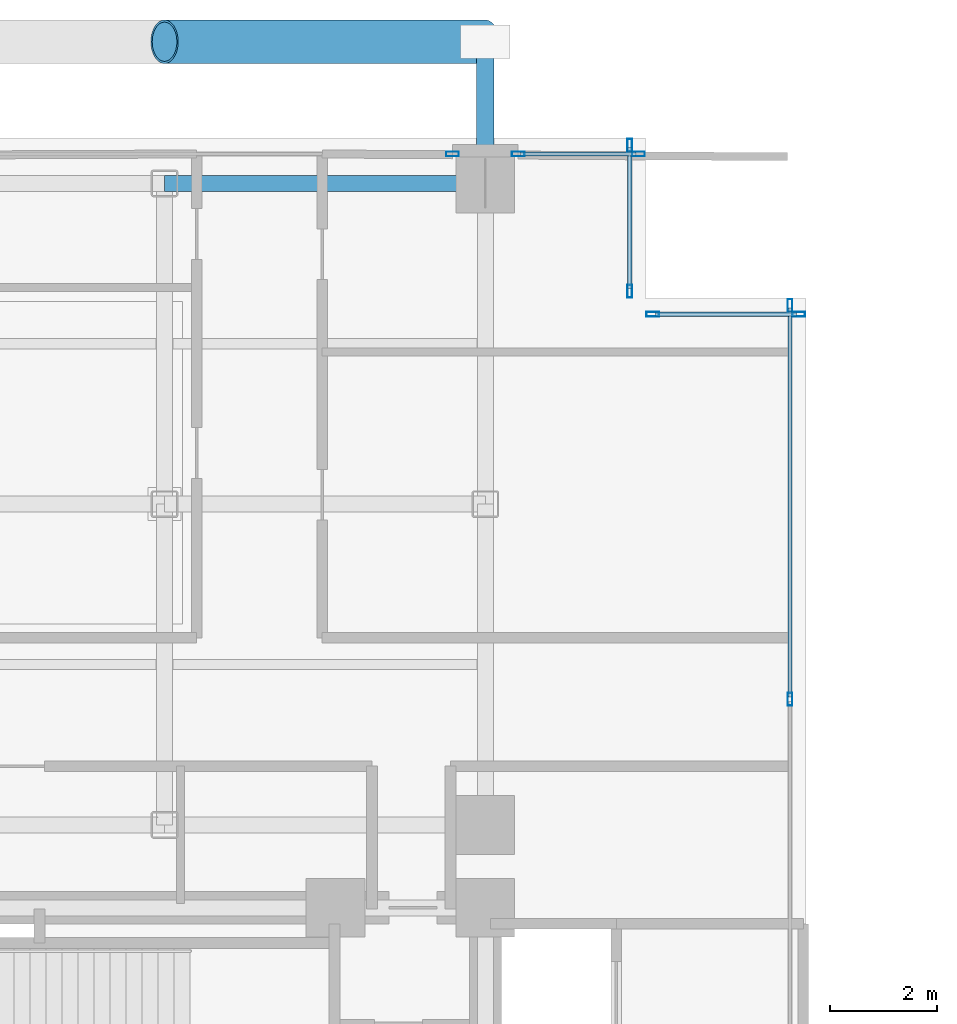
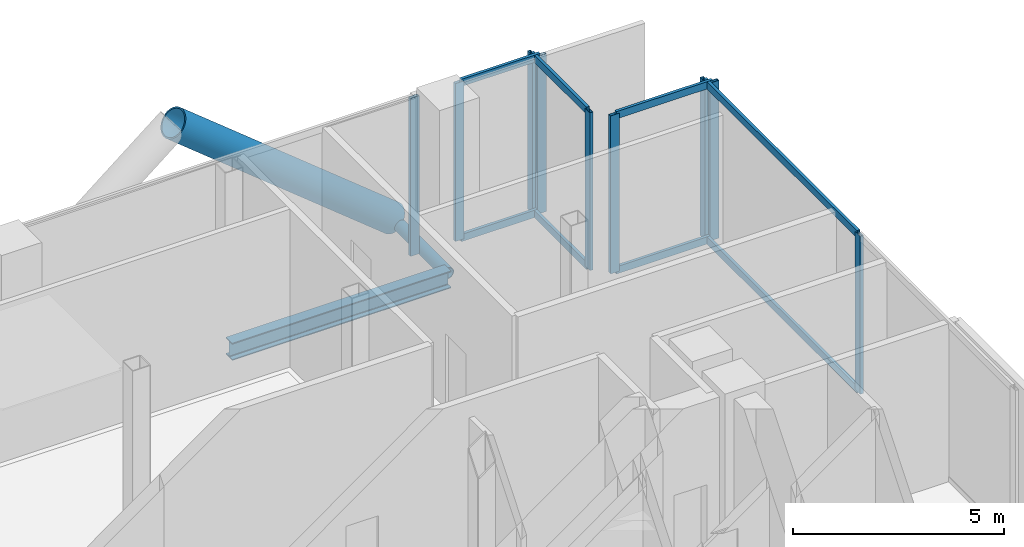
# One storey, part 14 of 25: 19 members, 1 beam, 5 elements without a shape of their own.
"""IFC4 building model written with IfcOpenShell, lengths in metres."""

import ifcopenshell
import ifcopenshell.guid

model = None  # the IFC model being written
_history = None  # IfcOwnerHistory: only IFC2X3 demands one
_inside = {}  # id of a spatial element -> (the spatial element, [elements in it])
_under = {}  # id of a project, library or spatial element -> (it, [spatial elements below it])
_declared = {}  # id of a project -> (the project, [libraries it declares])
_typed = {}  # id of a type object -> (the type object, [elements of that type])
_made_of = {}  # id of a material, layer set ... -> (it, [elements and type objects made of it])


def new_model(schema):
    """Start an empty IFC model of exactly this schema.

    Asked for "IFC4X3", IfcOpenShell would pick the latest addendum, in which some entities
    have other attributes; the version numbers below select the first issue.
    IFC2X3 requires an IfcOwnerHistory on every rooted entity: one is made here for all.
    """
    global model, _history
    if schema == "IFC4X3":
        model = ifcopenshell.file(schema_version=(4, 3, 0, 0))
    else:
        model = ifcopenshell.file(schema=schema)
    _inside.clear()
    _under.clear()
    _declared.clear()
    _typed.clear()
    _made_of.clear()
    _history = None
    if model.schema == "IFC2X3":
        org = make("IfcOrganization", Name="unknown")
        user = make(
            "IfcPersonAndOrganization",
            ThePerson=make("IfcPerson", FamilyName="unknown"),
            TheOrganization=org,
        )
        app = make(
            "IfcApplication",
            ApplicationDeveloper=org,
            Version="unknown",
            ApplicationFullName="unknown",
            ApplicationIdentifier="unknown",
        )
        _history = make(
            "IfcOwnerHistory",
            OwningUser=user,
            OwningApplication=app,
            ChangeAction="ADDED",
            CreationDate=0,
        )
    return model


def make(cls, **values):
    """One entity of the class cls with the attributes given. An attribute that is None is left unset."""
    return model.create_entity(
        cls, **{name: value for name, value in values.items() if value is not None}
    )


def rooted(cls, **values):
    """An entity with a GlobalId (a new one), such as an element, a storey or a relation."""
    return make(cls, GlobalId=ifcopenshell.guid.new(), OwnerHistory=_history, **values)


def si_unit(unit_type, name, prefix=None):
    """IfcSIUnit, for example si_unit("LENGTHUNIT", "METRE", prefix="MILLI")."""
    return make("IfcSIUnit", UnitType=unit_type, Prefix=prefix, Name=name)


def assignment(units):
    """IfcUnitAssignment: the units of a project."""
    return None if units is None else make("IfcUnitAssignment", Units=units)


def point(xyz):
    """IfcCartesianPoint."""
    return None if xyz is None else make("IfcCartesianPoint", Coordinates=xyz)


def direction(xyz):
    """IfcDirection."""
    return None if xyz is None else make("IfcDirection", DirectionRatios=xyz)


def frame(location, z_axis=None, x_axis=None):
    """IfcAxis2Placement3D, a coordinate frame: its origin and axes. An axis left out is left unset."""
    return make(
        "IfcAxis2Placement3D",
        Location=point(location),
        Axis=direction(z_axis),
        RefDirection=direction(x_axis),
    )


def frame_2d(location, x_axis=None):
    """IfcAxis2Placement2D, a coordinate frame in the plane: its origin and x axis."""
    return make(
        "IfcAxis2Placement2D", Location=point(location), RefDirection=direction(x_axis)
    )


def origin():
    """The frame at (0, 0, 0) with its axes left unset."""
    return frame((0.0, 0.0, 0.0))


def origin_2d():
    """The frame at (0, 0) in the plane with its x axis left unset."""
    return frame_2d((0.0, 0.0))


def place(relative_to, where):
    """IfcLocalPlacement: puts the frame where relative to a parent placement (None: the world)."""
    return make(
        "IfcLocalPlacement", PlacementRelTo=relative_to, RelativePlacement=where
    )


def context(
    kind, dimensions, precision=None, world=None, true_north=None, identifier=None
):
    """IfcGeometricRepresentationContext, for example the 3D "Model" context."""
    return make(
        "IfcGeometricRepresentationContext",
        ContextIdentifier=identifier,
        ContextType=kind,
        CoordinateSpaceDimension=dimensions,
        Precision=precision,
        WorldCoordinateSystem=world,
        TrueNorth=true_north,
    )


def subcontext(parent, identifier, kind, view, scale=None):
    """IfcGeometricRepresentationSubContext, for example "Body" below "Model"."""
    return make(
        "IfcGeometricRepresentationSubContext",
        ContextIdentifier=identifier,
        ContextType=kind,
        ParentContext=parent,
        TargetScale=scale,
        TargetView=view,
    )


def project(units=None, contexts=None):
    """IfcProject with its units and contexts."""
    return rooted(
        "IfcProject",
        Name="project",
        RepresentationContexts=contexts,
        UnitsInContext=assignment(units),
    )


def spatial(cls, under=None, at=None, **own):
    """A site, building, storey or space (cls), placed at a placement, below another one or the project."""
    s = rooted(cls, ObjectPlacement=at, **own)
    if under is not None:
        _under.setdefault(under.id(), (under, []))[1].append(s)
    return s


def profile(cls, at=None, kind="AREA", **sizes):
    """A parametric profile (cls). Its sizes go by their IFC names, for example OverallWidth=200.0."""
    return make(cls, ProfileType=kind, Position=at, **sizes)


def hollow_rectangle(**sizes):
    """IfcRectangleHollowProfileDef."""
    return profile("IfcRectangleHollowProfileDef", **sizes)


def hollow_circle(**sizes):
    """IfcCircleHollowProfileDef."""
    return profile("IfcCircleHollowProfileDef", **sizes)


def i_section(**sizes):
    """IfcIShapeProfileDef."""
    return profile("IfcIShapeProfileDef", **sizes)


def extrude(swept, where, along, depth):
    """IfcExtrudedAreaSolid: the profile swept, set in the frame where, extruded along a direction by depth."""
    return make(
        "IfcExtrudedAreaSolid",
        SweptArea=swept,
        Position=where,
        ExtrudedDirection=direction(along),
        Depth=depth,
    )


def shape(context_of_items, identifier, shape_type, items):
    """IfcShapeRepresentation: the items that make up one representation, for example the "Body"."""
    return make(
        "IfcShapeRepresentation",
        ContextOfItems=context_of_items,
        RepresentationIdentifier=identifier,
        RepresentationType=shape_type,
        Items=items,
    )


def material(Name=None, Category=None):
    """IfcMaterial."""
    return make("IfcMaterial", Name=Name, Category=Category)


def layer(
    of_material, thickness, ventilated=None, Name=None, Category=None, Priority=None
):
    """IfcMaterialLayer: one layer of a wall or slab, of a material (None: an air gap)."""
    return make(
        "IfcMaterialLayer",
        Material=of_material,
        LayerThickness=thickness,
        IsVentilated=ventilated,
        Name=Name,
        Category=Category,
        Priority=Priority,
    )


def layer_set(layers, Name=None):
    """IfcMaterialLayerSet."""
    return make("IfcMaterialLayerSet", MaterialLayers=layers, LayerSetName=Name)


def material_profile(
    of_material, cross_section, Name=None, Category=None, Priority=None
):
    """IfcMaterialProfile: a cross section and its material."""
    return make(
        "IfcMaterialProfile",
        Name=Name,
        Material=of_material,
        Profile=cross_section,
        Priority=Priority,
        Category=Category,
    )


def profile_set(profiles, Name=None, composite=None):
    """IfcMaterialProfileSet."""
    return make(
        "IfcMaterialProfileSet",
        Name=Name,
        MaterialProfiles=profiles,
        CompositeProfile=composite,
    )


def made_of(thing, what):
    """Note that an element or type object is made of a material, layer set ...; save() writes the relation."""
    if what is not None:
        _made_of.setdefault(what.id(), (what, []))[1].append(thing)
    return thing


def type_object(cls, material=None, **own):
    """A type object (cls), such as IfcWallType, which elements share."""
    return made_of(rooted(cls, **own), material)


def element(
    cls,
    number,
    at=None,
    inside=None,
    cuts=None,
    type_object=None,
    material=None,
    context=None,
    identifier="Body",
    shape_type=None,
    held_by="IfcProductDefinitionShape",
    body=None,
    shapes=None,
    **own,
):
    """One element of the class cls, such as IfcWall. Its Tag is "e" and its number.

    at: its placement. inside: the storey or other place that contains it. cuts: it is an
    opening in that element (IfcRelVoidsElement). A single representation is given by context,
    identifier, shape_type and body (its items); several are given by shapes. held_by: the class
    of the entity that holds the representations. save() writes the other relations.
    """
    e = rooted(cls, Tag="e%d" % number, ObjectPlacement=at, **own)
    if body is not None:
        shapes = [shape(context, identifier, shape_type, body)]
    if shapes is not None:
        e.Representation = make(held_by, Representations=shapes)
    if inside is not None:
        _inside.setdefault(inside.id(), (inside, []))[1].append(e)
    if cuts is not None:
        rooted(
            "IfcRelVoidsElement", RelatingBuildingElement=cuts, RelatedOpeningElement=e
        )
    if type_object is not None:
        _typed.setdefault(type_object.id(), (type_object, []))[1].append(e)
    return made_of(e, material)


def aggregate(whole, parts):
    """IfcRelAggregates: a whole, such as a stair, and the parts it consists of."""
    return rooted("IfcRelAggregates", RelatingObject=whole, RelatedObjects=parts)


def save(model, path):
    """Write the relations noted so far, then the file.

    IfcRelAggregates (storeys below a building ...), IfcRelContainedInSpatialStructure (elements
    in a storey), IfcRelDefinesByType, IfcRelAssociatesMaterial and IfcRelDeclares: one each for
    every whole, place, type object, material and project.
    """
    for whole, parts in _under.values():
        aggregate(whole, parts)
    for where, things in _inside.values():
        rooted(
            "IfcRelContainedInSpatialStructure",
            RelatedElements=things,
            RelatingStructure=where,
        )
    for kind, things in _typed.values():
        rooted("IfcRelDefinesByType", RelatedObjects=things, RelatingType=kind)
    for what, things in _made_of.values():
        rooted("IfcRelAssociatesMaterial", RelatedObjects=things, RelatingMaterial=what)
    for by, libraries in _declared.values():
        rooted("IfcRelDeclares", RelatingContext=by, RelatedDefinitions=libraries)
    model.write(path)


model = new_model("IFC4")

# Units and contexts
model_context = context("Model", 3, precision=1e-05, world=origin(), true_north=direction((0.0, 1.0)))
body_context = subcontext(model_context, "Body", "Model", "MODEL_VIEW")
ifc_project = project(units=[si_unit("LENGTHUNIT", "METRE"), si_unit("AREAUNIT", "SQUARE_METRE"), si_unit("VOLUMEUNIT", "CUBIC_METRE"), si_unit("PLANEANGLEUNIT", "RADIAN"), si_unit("MASSUNIT", "GRAM", prefix="KILO"), si_unit("THERMODYNAMICTEMPERATUREUNIT", "KELVIN"), si_unit("POWERUNIT", "WATT")], contexts=[model_context])

# Site, building, storey
site_placement = place(None, origin())
site = spatial("IfcSite", under=ifc_project, at=site_placement, CompositionType="ELEMENT")
building_placement = place(site_placement, origin())
building = spatial("IfcBuilding", under=site, at=building_placement, Name="Svarakhadi Broadcast Tower", CompositionType="ELEMENT")
storey_placement = place(building_placement, frame((0.0, 0.0, 110.85009765625)))
storey = spatial("IfcBuildingStorey", under=building, at=storey_placement, Name="L26", CompositionType="ELEMENT", Elevation=110.85009765625)

# Curtain wall, member
ifc_material_1 = material(Name="Anodised Bronze Aluminium AA 6063-T6", Category="aluminium")
ifc_layer = layer(ifc_material_1, 0.239990234375)
ifc_layer_set = layer_set([ifc_layer], Name="Anodised Bronze Aluminium AA 6063-T6")
curtain_wall_type = type_object("IfcCurtainWallType", Name="CW_Sys_06", PredefinedType="NOTDEFINED", material=ifc_layer_set)
curtain_wall_1_placement = place(storey_placement, origin())
curtain_wall_1 = element("IfcCurtainWall", 1, at=curtain_wall_1_placement, inside=storey, type_object=curtain_wall_type, Name="L26 Unitised Facade Curtain Wall 06 Bay 2", PredefinedType="NOTDEFINED")
ifc_material_profile_1 = material_profile(ifc_material_1, hollow_rectangle(XDim=0.090087890625, YDim=0.239990234375, WallThickness=0.006103515625, at=origin_2d()), Name="ALU MULLION 240x90x6")
ifc_profile_set_1 = profile_set([ifc_material_profile_1], Name="Anodised Bronze Aluminium AA 6063-T6")
member_type_1 = type_object("IfcMemberType", Name="CW_Sys_06_Mul", PredefinedType="MULLION", material=ifc_profile_set_1)
member_1_placement = place(storey_placement, frame((17.385009765625, 41.699951171875, 0.0), z_axis=(0.0, 0.0, 1.0), x_axis=(0.0, 1.0, 0.0)))
member_1 = element("IfcMember", 2, at=member_1_placement, type_object=member_type_1, Name="CW-06 mullion 2", PredefinedType="MULLION", context=body_context, shape_type="SweptSolid", body=[
    extrude(hollow_rectangle(XDim=0.090087890625, YDim=0.239990234375, WallThickness=0.006103515625, at=origin_2d()), origin(), (0.0, 0.0, 1.0), 4.574951171875),
])
aggregate(curtain_wall_1, [member_1])

# Curtain wall, members
curtain_wall_2_placement = place(storey_placement, origin())
curtain_wall_2 = element("IfcCurtainWall", 3, at=curtain_wall_2_placement, inside=storey, type_object=curtain_wall_type, Name="L26 Unitised Facade Curtain Wall 06 Bay 3", PredefinedType="NOTDEFINED")
member_2_placement = place(storey_placement, frame((18.614990234375, 41.699951171875, 0.0), z_axis=(0.0, 0.0, 1.0), x_axis=(0.0, 1.0, 0.0)))
member_2 = element("IfcMember", 4, at=member_2_placement, type_object=member_type_1, Name="CW-06 mullion 1", PredefinedType="MULLION", context=body_context, shape_type="SweptSolid", body=[
    extrude(hollow_rectangle(XDim=0.090087890625, YDim=0.239990234375, WallThickness=0.006103515625, at=origin_2d()), origin(), (0.0, 0.0, 1.0), 4.574951171875),
])
member_3_placement = place(storey_placement, frame((20.864990234375, 41.699951171875, 0.0), z_axis=(0.0, 0.0, 1.0), x_axis=(0.0, 1.0, 0.0)))
member_3 = element("IfcMember", 5, at=member_3_placement, type_object=member_type_1, Name="CW-06 mullion 2", PredefinedType="MULLION", context=body_context, shape_type="SweptSolid", body=[
    extrude(hollow_rectangle(XDim=0.090087890625, YDim=0.239990234375, WallThickness=0.006103515625, at=origin_2d()), origin(), (0.0, 0.0, 1.0), 4.574951171875),
])

curtain_wall_3_placement = place(storey_placement, origin())
curtain_wall_3 = element("IfcCurtainWall", 6, at=curtain_wall_3_placement, inside=storey, type_object=curtain_wall_type, Name="L26 Unitised Facade Curtain Wall 07", PredefinedType="NOTDEFINED")
member_4_placement = place(storey_placement, frame((20.699951171875, 41.864990234375, 0.0), z_axis=(0.0, 0.0, 1.0), x_axis=(1.0, 0.0, 0.0)))
member_4 = element("IfcMember", 7, at=member_4_placement, type_object=member_type_1, Name="CW-06 mullion 1", PredefinedType="MULLION", context=body_context, shape_type="SweptSolid", body=[
    extrude(hollow_rectangle(XDim=0.090087890625, YDim=0.239990234375, WallThickness=0.006103515625, at=origin_2d()), origin(), (0.0, 0.0, 1.0), 4.574951171875),
])
member_5_placement = place(storey_placement, frame((20.699951171875, 39.135009765625, 0.0), z_axis=(0.0, 0.0, 1.0), x_axis=(1.0, 0.0, 0.0)))
member_5 = element("IfcMember", 8, at=member_5_placement, type_object=member_type_1, Name="CW-06 mullion 2", PredefinedType="MULLION", context=body_context, shape_type="SweptSolid", body=[
    extrude(hollow_rectangle(XDim=0.090087890625, YDim=0.239990234375, WallThickness=0.006103515625, at=origin_2d()), origin(), (0.0, 0.0, 1.0), 4.574951171875),
])

curtain_wall_4_placement = place(storey_placement, origin())
curtain_wall_4 = element("IfcCurtainWall", 9, at=curtain_wall_4_placement, inside=storey, type_object=curtain_wall_type, Name="L26 Unitised Facade Curtain Wall 08", PredefinedType="NOTDEFINED")
member_6_placement = place(storey_placement, frame((21.135009765625, 38.699951171875, 0.0), z_axis=(0.0, 0.0, 1.0), x_axis=(0.0, 1.0, 0.0)))
member_6 = element("IfcMember", 10, at=member_6_placement, type_object=member_type_1, Name="CW-06 mullion 1", PredefinedType="MULLION", context=body_context, shape_type="SweptSolid", body=[
    extrude(hollow_rectangle(XDim=0.090087890625, YDim=0.239990234375, WallThickness=0.006103515625, at=origin_2d()), origin(), (0.0, 0.0, 1.0), 4.574951171875),
])
member_7_placement = place(storey_placement, frame((23.864990234375, 38.699951171875, 0.0), z_axis=(0.0, 0.0, 1.0), x_axis=(0.0, 1.0, 0.0)))
member_7 = element("IfcMember", 11, at=member_7_placement, type_object=member_type_1, Name="CW-06 mullion 2", PredefinedType="MULLION", context=body_context, shape_type="SweptSolid", body=[
    extrude(hollow_rectangle(XDim=0.090087890625, YDim=0.239990234375, WallThickness=0.006103515625, at=origin_2d()), origin(), (0.0, 0.0, 1.0), 4.574951171875),
])

curtain_wall_5_placement = place(storey_placement, origin())
curtain_wall_5 = element("IfcCurtainWall", 12, at=curtain_wall_5_placement, inside=storey, type_object=curtain_wall_type, Name="L26 Unitised Facade Curtain Wall 09", PredefinedType="NOTDEFINED")
member_8_placement = place(storey_placement, frame((23.699951171875, 38.864990234375, 0.0), z_axis=(0.0, 0.0, 1.0), x_axis=(1.0, 0.0, 0.0)))
member_8 = element("IfcMember", 13, at=member_8_placement, type_object=member_type_1, Name="CW-06 mullion 1", PredefinedType="MULLION", context=body_context, shape_type="SweptSolid", body=[
    extrude(hollow_rectangle(XDim=0.090087890625, YDim=0.239990234375, WallThickness=0.006103515625, at=origin_2d()), origin(), (0.0, 0.0, 1.0), 4.574951171875),
])
member_9_placement = place(storey_placement, frame((23.699951171875, 31.5, 0.0), z_axis=(0.0, 0.0, 1.0), x_axis=(1.0, 0.0, 0.0)))
member_9 = element("IfcMember", 14, at=member_9_placement, type_object=member_type_1, Name="CW-06 mullion 2", PredefinedType="MULLION", context=body_context, shape_type="SweptSolid", body=[
    extrude(hollow_rectangle(XDim=0.090087890625, YDim=0.239990234375, WallThickness=0.006103515625, at=origin_2d()), origin(), (0.0, 0.0, 1.0), 4.574951171875),
])

# Member
ifc_material_profile_2 = material_profile(ifc_material_1, hollow_rectangle(XDim=0.080078125, YDim=0.2099609375, WallThickness=0.0048828125, at=origin_2d()), Name="ALU TRANSOM 210x80x5")
ifc_profile_set_2 = profile_set([ifc_material_profile_2], Name="Anodised Bronze Aluminium AA 6063-T6")
member_type_2 = type_object("IfcMemberType", Name="CW_Sys_06_Trn", PredefinedType="USERDEFINED", material=ifc_profile_set_2)
member_10_placement = place(storey_placement, frame((18.659912109375, 41.699951171875, 0.039794921875), z_axis=(1.0, 0.0, 0.0), x_axis=(0.0, 1.0, 0.0)))
member_10 = element("IfcMember", 15, at=member_10_placement, type_object=member_type_2, Name="CW-06 transom 1.1", ObjectType="TRANSOM", PredefinedType="USERDEFINED", context=body_context, shape_type="SweptSolid", body=[
    extrude(hollow_rectangle(XDim=0.080078125, YDim=0.2099609375, WallThickness=0.0048828125, at=origin_2d()), origin(), (0.0, 0.0, 1.0), 2.16015625),
])

member_11_placement = place(storey_placement, frame((18.659912109375, 41.699951171875, 4.534912109375), z_axis=(1.0, 0.0, 0.0), x_axis=(0.0, 1.0, 0.0)))
member_11 = element("IfcMember", 16, at=member_11_placement, type_object=member_type_2, Name="CW-06 transom 1.2", ObjectType="TRANSOM", PredefinedType="USERDEFINED", context=body_context, shape_type="SweptSolid", body=[
    extrude(hollow_rectangle(XDim=0.080078125, YDim=0.2099609375, WallThickness=0.0048828125, at=origin_2d()), origin(), (0.0, 0.0, 1.0), 2.16015625),
])

aggregate(curtain_wall_2, [member_2, member_3, member_10, member_11])

member_12_placement = place(storey_placement, frame((20.699951171875, 41.820068359375, 0.039794921875), z_axis=(0.0, -1.0, 0.0), x_axis=(1.0, 0.0, 0.0)))
member_12 = element("IfcMember", 17, at=member_12_placement, type_object=member_type_2, Name="CW-06 transom 1.1", ObjectType="TRANSOM", PredefinedType="USERDEFINED", context=body_context, shape_type="SweptSolid", body=[
    extrude(hollow_rectangle(XDim=0.080078125, YDim=0.2099609375, WallThickness=0.0048828125, at=origin_2d()), origin(), (0.0, 0.0, 1.0), 2.64013671875),
])

member_13_placement = place(storey_placement, frame((20.699951171875, 41.820068359375, 4.534912109375), z_axis=(0.0, -1.0, 0.0), x_axis=(1.0, 0.0, 0.0)))
member_13 = element("IfcMember", 18, at=member_13_placement, type_object=member_type_2, Name="CW-06 transom 1.2", ObjectType="TRANSOM", PredefinedType="USERDEFINED", context=body_context, shape_type="SweptSolid", body=[
    extrude(hollow_rectangle(XDim=0.080078125, YDim=0.2099609375, WallThickness=0.0048828125, at=origin_2d()), origin(), (0.0, 0.0, 1.0), 2.64013671875),
])

aggregate(curtain_wall_3, [member_4, member_5, member_12, member_13])

member_14_placement = place(storey_placement, frame((21.179931640625, 38.699951171875, 0.039794921875), z_axis=(1.0, 0.0, 0.0), x_axis=(0.0, 1.0, 0.0)))
member_14 = element("IfcMember", 19, at=member_14_placement, type_object=member_type_2, Name="CW-06 transom 1.1", ObjectType="TRANSOM", PredefinedType="USERDEFINED", context=body_context, shape_type="SweptSolid", body=[
    extrude(hollow_rectangle(XDim=0.080078125, YDim=0.2099609375, WallThickness=0.0048828125, at=origin_2d()), origin(), (0.0, 0.0, 1.0), 2.64013671875),
])

member_15_placement = place(storey_placement, frame((21.179931640625, 38.699951171875, 4.534912109375), z_axis=(1.0, 0.0, 0.0), x_axis=(0.0, 1.0, 0.0)))
member_15 = element("IfcMember", 20, at=member_15_placement, type_object=member_type_2, Name="CW-06 transom 1.2", ObjectType="TRANSOM", PredefinedType="USERDEFINED", context=body_context, shape_type="SweptSolid", body=[
    extrude(hollow_rectangle(XDim=0.080078125, YDim=0.2099609375, WallThickness=0.0048828125, at=origin_2d()), origin(), (0.0, 0.0, 1.0), 2.64013671875),
])

aggregate(curtain_wall_4, [member_6, member_7, member_14, member_15])

member_16_placement = place(storey_placement, frame((23.699951171875, 38.820068359375, 0.039794921875), z_axis=(0.0, -1.0, 0.0), x_axis=(1.0, 0.0, 0.0)))
member_16 = element("IfcMember", 21, at=member_16_placement, type_object=member_type_2, Name="CW-06 transom 1.1", ObjectType="TRANSOM", PredefinedType="USERDEFINED", context=body_context, shape_type="SweptSolid", body=[
    extrude(hollow_rectangle(XDim=0.080078125, YDim=0.2099609375, WallThickness=0.0048828125, at=origin_2d()), origin(), (0.0, 0.0, 1.0), 7.275146484375),
])

member_17_placement = place(storey_placement, frame((23.699951171875, 38.820068359375, 4.534912109375), z_axis=(0.0, -1.0, 0.0), x_axis=(1.0, 0.0, 0.0)))
member_17 = element("IfcMember", 22, at=member_17_placement, type_object=member_type_2, Name="CW-06 transom 1.2", ObjectType="TRANSOM", PredefinedType="USERDEFINED", context=body_context, shape_type="SweptSolid", body=[
    extrude(hollow_rectangle(XDim=0.080078125, YDim=0.2099609375, WallThickness=0.0048828125, at=origin_2d()), origin(), (0.0, 0.0, 1.0), 7.275146484375),
])

aggregate(curtain_wall_5, [member_8, member_9, member_16, member_17])

# Members
ifc_material_2 = material(Name="Steel S460ML (IS 2062 E450BR)", Category="steel")
ifc_material_profile_3 = material_profile(ifc_material_2, hollow_circle(Radius=0.406494140625, WallThickness=0.0400390625, at=origin_2d()), Name="CHS 813x40")
ifc_profile_set_3 = profile_set([ifc_material_profile_3], Name="Steel S460ML (IS 2062 E450BR)")
member_type_3 = type_object("IfcMemberType", Name="Exo_Brace_CHS813", PredefinedType="BRACE", material=ifc_profile_set_3)
member_18_placement = place(storey_placement, frame((18.0, 43.800048828125, -0.43701171875), z_axis=(-0.777706721002, 0.0, 0.628627279163), x_axis=(0.0, -1.0, 0.0)))
element("IfcMember", 23, at=member_18_placement, inside=storey, type_object=member_type_3, Name="L26 Exposed Bronze Exoskeleton Diagonal N09", PredefinedType="BRACE", context=body_context, shape_type="SweptSolid", body=[
    extrude(hollow_circle(Radius=0.406494140625, WallThickness=0.0400390625, at=origin_2d()), origin(), (0.0, 0.0, 1.0), 7.715087890625),
])
ifc_material_profile_4 = material_profile(ifc_material_2, hollow_circle(Radius=0.161865234375, WallThickness=0.01611328125, at=origin_2d()), Name="CHS 323.9x16")
ifc_profile_set_4 = profile_set([ifc_material_profile_4], Name="Steel S460ML (IS 2062 E450BR)")
member_type_4 = type_object("IfcMemberType", Name="Exo_Radial_Strut_Z2", PredefinedType="STRUT", material=ifc_profile_set_4)
member_19_placement = place(storey_placement, frame((18.0, 43.800048828125, -0.43701171875), z_axis=(0.0, -1.0, 0.0), x_axis=(1.0, 0.0, 0.0)))
element("IfcMember", 24, at=member_19_placement, inside=storey, type_object=member_type_4, Name="L26 Exoskeleton Radial Tie Strut N11", PredefinedType="STRUT", context=body_context, shape_type="SweptSolid", body=[
    extrude(hollow_circle(Radius=0.161865234375, WallThickness=0.01611328125, at=origin_2d()), origin(), (0.0, 0.0, 1.0), 2.650146484375),
])

# Beam
ifc_material_3 = material(Name="Steel S355J2 (IS 2062 E350C)", Category="steel")
ifc_material_profile_5 = material_profile(ifc_material_3, i_section(OverallWidth=0.300048828125, OverallDepth=0.5, WebThickness=0.014404296875, FlangeThickness=0.028076171875, FilletRadius=0.027099609375, at=origin_2d()), Name="WPB 500x300x187")
ifc_profile_set_5 = profile_set([ifc_material_profile_5], Name="Steel S355J2 (IS 2062 E350C)")
beam_type = type_object("IfcBeamType", Name="Girder_WPB500", PredefinedType="USERDEFINED", material=ifc_profile_set_5)
beam_placement = place(storey_placement, frame((12.0, 41.14990234375, -0.525146484375), z_axis=(1.0, 0.0, 0.0), x_axis=(0.0, 1.0, 0.0)))
element("IfcBeam", 25, at=beam_placement, inside=storey, type_object=beam_type, Name="L26 Primary E-W Girder G039", ObjectType="GIRDER", PredefinedType="USERDEFINED", context=body_context, shape_type="SweptSolid", body=[
    extrude(i_section(OverallWidth=0.300048828125, OverallDepth=0.5, WebThickness=0.014404296875, FlangeThickness=0.028076171875, FilletRadius=0.027099609375, at=origin_2d()), origin(), (0.0, 0.0, 1.0), 6.0),
])

save(model, "model.ifc")
